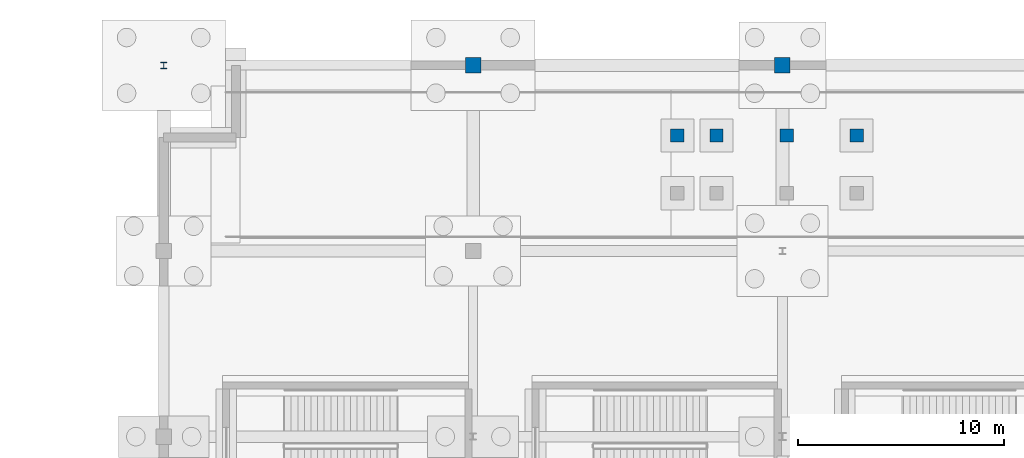
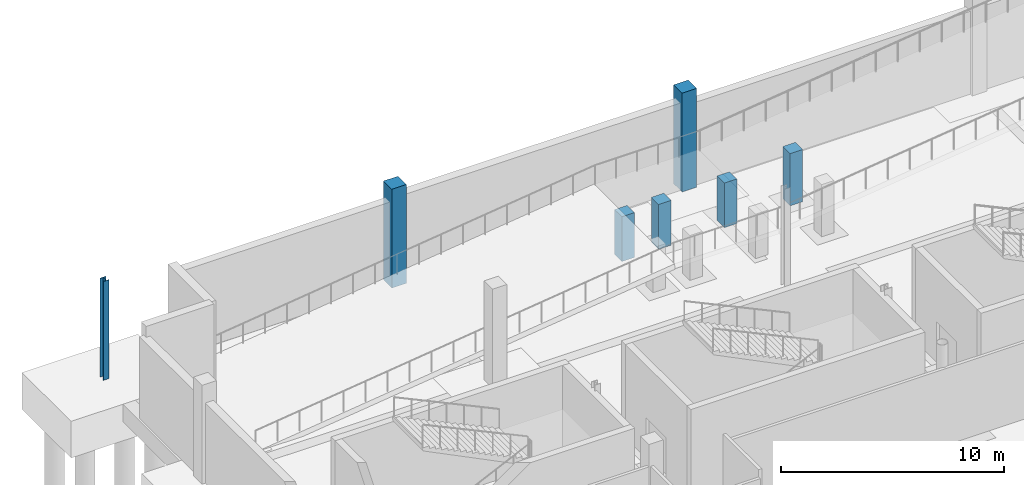
# One storey, part 34 of 58: 7 columns.
"""IFC4 building model written with IfcOpenShell, lengths in metres."""

from ifc_helpers import new_model, si_unit, direction, frame, origin, origin_2d, place, context, subcontext, project, spatial, rectangle, i_section, extrude, material, material_profile, profile_set, type_object, element, save


model = new_model("IFC4")

# Units and contexts
model_context = context("Model", 3, precision=1e-05, world=origin(), true_north=direction((0.0, 1.0)))
body_context = subcontext(model_context, "Body", "Model", "MODEL_VIEW")
ifc_project = project(units=[si_unit("LENGTHUNIT", "METRE"), si_unit("AREAUNIT", "SQUARE_METRE"), si_unit("VOLUMEUNIT", "CUBIC_METRE"), si_unit("PLANEANGLEUNIT", "RADIAN"), si_unit("MASSUNIT", "GRAM", prefix="KILO")], contexts=[model_context])

# Site, building, storey
site_placement = place(None, origin())
site = spatial("IfcSite", under=ifc_project, at=site_placement, CompositionType="ELEMENT")
building_placement = place(site_placement, origin())
building = spatial("IfcBuilding", under=site, at=building_placement, Name="Qamarlyn Nura Convention Centre", CompositionType="ELEMENT")
storey_placement = place(building_placement, frame((0.0, 0.0, -5.39990234375)))
storey = spatial("IfcBuildingStorey", under=building, at=storey_placement, Name="B01", CompositionType="ELEMENT", Elevation=-5.39990234375)

# Columns
ifc_material_1 = material(Name="Concrete C50/60", Category="concrete")
ifc_material_profile_1 = material_profile(ifc_material_1, rectangle(XDim=0.75, YDim=0.75, at=origin_2d()), Name="RC 750x750")
ifc_profile_set_1 = profile_set([ifc_material_profile_1], Name="Concrete C50/60")
column_type_1 = type_object("IfcColumnType", Name="COL-SUB-2", PredefinedType="COLUMN", material=ifc_profile_set_1)
for number, where, z_axis, x_axis, name in (
    (1, (30.0, 126.0, 0.0), (0.0, 0.0, 1.0), (1.0, 0.0, 0.0), "B01 column 3/Q"),
    (2, (45.0, 126.0, 0.0), (0.0, 0.0, 1.0), (1.0, 0.0, 0.0), "B01 column 4/Q"),
):
    element("IfcColumn", number, at=place(storey_placement, frame(where, z_axis=z_axis, x_axis=x_axis)), inside=storey, type_object=column_type_1, Name=name, PredefinedType="COLUMN", context=body_context, shape_type="SweptSolid", body=[
        extrude(rectangle(XDim=0.75, YDim=0.75, at=origin_2d()), origin(), (0.0, 0.0, 1.0), 5.39990234375),
    ])
ifc_material_profile_2 = material_profile(ifc_material_1, rectangle(XDim=0.64990234375, YDim=0.64990234375, at=origin_2d()), Name="RC 650x650")
ifc_profile_set_2 = profile_set([ifc_material_profile_2], Name="Concrete C50/60")
column_type_2 = type_object("IfcColumnType", Name="COL-SUB-3", PredefinedType="COLUMN", material=ifc_profile_set_2)
for number, where, z_axis, x_axis, name in (
    (3, (39.89990234375, 122.60009765625, 0.0), (0.0, 0.0, 1.0), (1.0, 0.0, 0.0), "B01 vehicle ramp support column 3"),
    (4, (41.800048828125, 122.60009765625, 0.0), (0.0, 0.0, 1.0), (1.0, 0.0, 0.0), "B01 vehicle ramp support column 4"),
):
    element("IfcColumn", number, at=place(storey_placement, frame(where, z_axis=z_axis, x_axis=x_axis)), inside=storey, type_object=column_type_2, Name=name, PredefinedType="COLUMN", context=body_context, shape_type="SweptSolid", body=[
        extrude(rectangle(XDim=0.64990234375, YDim=0.64990234375, at=origin_2d()), origin(), (0.0, 0.0, 1.0), 2.449951171875),
    ])
column_1_placement = place(storey_placement, frame((45.199951171875, 122.60009765625, 0.0), z_axis=(0.0, 0.0, 1.0), x_axis=(1.0, 0.0, 0.0)))
element("IfcColumn", 5, at=column_1_placement, inside=storey, type_object=column_type_2, Name="B01 vehicle ramp support column 6", PredefinedType="COLUMN", context=body_context, shape_type="SweptSolid", body=[
    extrude(rectangle(XDim=0.64990234375, YDim=0.64990234375, at=origin_2d()), origin(), (0.0, 0.0, 1.0), 2.429931640625),
])
column_2_placement = place(storey_placement, frame((48.60009765625, 122.60009765625, 0.0), z_axis=(0.0, 0.0, 1.0), x_axis=(1.0, 0.0, 0.0)))
element("IfcColumn", 6, at=column_2_placement, inside=storey, type_object=column_type_2, Name="B01 vehicle ramp support column 8", PredefinedType="COLUMN", context=body_context, shape_type="SweptSolid", body=[
    extrude(rectangle(XDim=0.64990234375, YDim=0.64990234375, at=origin_2d()), origin(), (0.0, 0.0, 1.0), 2.849853515625),
])
ifc_material_2 = material(Name="Steel ASTM A992", Category="steel")
ifc_material_profile_3 = material_profile(ifc_material_2, i_section(OverallWidth=0.304931640625, OverallDepth=0.30810546875, WebThickness=0.010009765625, FlangeThickness=0.015380859375, FilletRadius=0.014892578125, at=origin_2d()), Name="W310X97")
ifc_profile_set_3 = profile_set([ifc_material_profile_3], Name="Steel ASTM A992")
column_type_3 = type_object("IfcColumnType", Name="COL-WING-4", PredefinedType="COLUMN", material=ifc_profile_set_3)
column_3_placement = place(storey_placement, frame((15.0, 126.0, 0.0), z_axis=(0.0, 0.0, 1.0), x_axis=(1.0, 0.0, 0.0)))
element("IfcColumn", 7, at=column_3_placement, inside=storey, type_object=column_type_3, Name="B01 column 2/Q", PredefinedType="COLUMN", context=body_context, shape_type="SweptSolid", body=[
    extrude(i_section(OverallWidth=0.304931640625, OverallDepth=0.30810546875, WebThickness=0.010009765625, FlangeThickness=0.015380859375, FilletRadius=0.014892578125, at=origin_2d()), origin(), (0.0, 0.0, 1.0), 5.39990234375),
])

save(model, "model.ifc")
